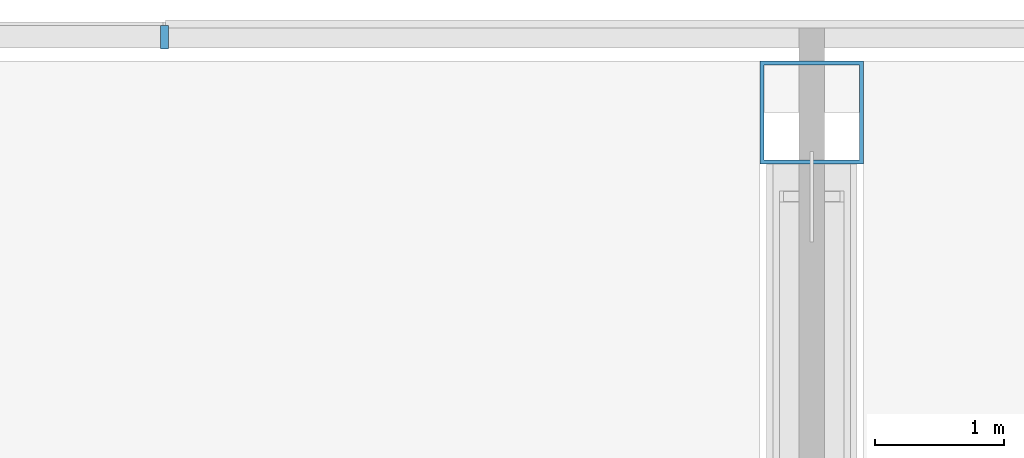
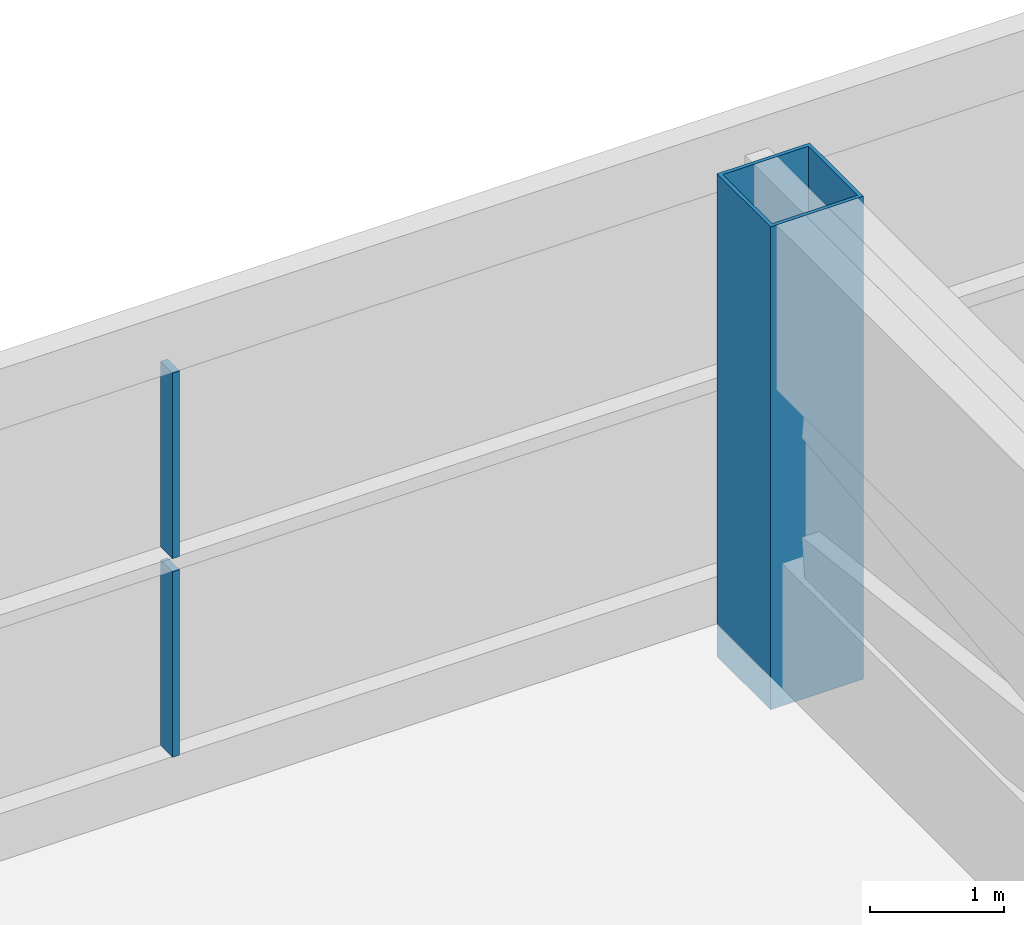
# One storey, part 12 of 31: 3 members, 1 element without a shape of its own.
"""IFC4 building model written with IfcOpenShell, lengths in metres."""

import ifcopenshell
import ifcopenshell.guid

model = None  # the IFC model being written
_history = None  # IfcOwnerHistory: only IFC2X3 demands one
_inside = {}  # id of a spatial element -> (the spatial element, [elements in it])
_under = {}  # id of a project, library or spatial element -> (it, [spatial elements below it])
_declared = {}  # id of a project -> (the project, [libraries it declares])
_typed = {}  # id of a type object -> (the type object, [elements of that type])
_made_of = {}  # id of a material, layer set ... -> (it, [elements and type objects made of it])


def new_model(schema):
    """Start an empty IFC model of exactly this schema.

    Asked for "IFC4X3", IfcOpenShell would pick the latest addendum, in which some entities
    have other attributes; the version numbers below select the first issue.
    IFC2X3 requires an IfcOwnerHistory on every rooted entity: one is made here for all.
    """
    global model, _history
    if schema == "IFC4X3":
        model = ifcopenshell.file(schema_version=(4, 3, 0, 0))
    else:
        model = ifcopenshell.file(schema=schema)
    _inside.clear()
    _under.clear()
    _declared.clear()
    _typed.clear()
    _made_of.clear()
    _history = None
    if model.schema == "IFC2X3":
        org = make("IfcOrganization", Name="unknown")
        user = make(
            "IfcPersonAndOrganization",
            ThePerson=make("IfcPerson", FamilyName="unknown"),
            TheOrganization=org,
        )
        app = make(
            "IfcApplication",
            ApplicationDeveloper=org,
            Version="unknown",
            ApplicationFullName="unknown",
            ApplicationIdentifier="unknown",
        )
        _history = make(
            "IfcOwnerHistory",
            OwningUser=user,
            OwningApplication=app,
            ChangeAction="ADDED",
            CreationDate=0,
        )
    return model


def make(cls, **values):
    """One entity of the class cls with the attributes given. An attribute that is None is left unset."""
    return model.create_entity(
        cls, **{name: value for name, value in values.items() if value is not None}
    )


def rooted(cls, **values):
    """An entity with a GlobalId (a new one), such as an element, a storey or a relation."""
    return make(cls, GlobalId=ifcopenshell.guid.new(), OwnerHistory=_history, **values)


def si_unit(unit_type, name, prefix=None):
    """IfcSIUnit, for example si_unit("LENGTHUNIT", "METRE", prefix="MILLI")."""
    return make("IfcSIUnit", UnitType=unit_type, Prefix=prefix, Name=name)


def assignment(units):
    """IfcUnitAssignment: the units of a project."""
    return None if units is None else make("IfcUnitAssignment", Units=units)


def point(xyz):
    """IfcCartesianPoint."""
    return None if xyz is None else make("IfcCartesianPoint", Coordinates=xyz)


def direction(xyz):
    """IfcDirection."""
    return None if xyz is None else make("IfcDirection", DirectionRatios=xyz)


def frame(location, z_axis=None, x_axis=None):
    """IfcAxis2Placement3D, a coordinate frame: its origin and axes. An axis left out is left unset."""
    return make(
        "IfcAxis2Placement3D",
        Location=point(location),
        Axis=direction(z_axis),
        RefDirection=direction(x_axis),
    )


def frame_2d(location, x_axis=None):
    """IfcAxis2Placement2D, a coordinate frame in the plane: its origin and x axis."""
    return make(
        "IfcAxis2Placement2D", Location=point(location), RefDirection=direction(x_axis)
    )


def origin():
    """The frame at (0, 0, 0) with its axes left unset."""
    return frame((0.0, 0.0, 0.0))


def origin_2d():
    """The frame at (0, 0) in the plane with its x axis left unset."""
    return frame_2d((0.0, 0.0))


def place(relative_to, where):
    """IfcLocalPlacement: puts the frame where relative to a parent placement (None: the world)."""
    return make(
        "IfcLocalPlacement", PlacementRelTo=relative_to, RelativePlacement=where
    )


def context(
    kind, dimensions, precision=None, world=None, true_north=None, identifier=None
):
    """IfcGeometricRepresentationContext, for example the 3D "Model" context."""
    return make(
        "IfcGeometricRepresentationContext",
        ContextIdentifier=identifier,
        ContextType=kind,
        CoordinateSpaceDimension=dimensions,
        Precision=precision,
        WorldCoordinateSystem=world,
        TrueNorth=true_north,
    )


def subcontext(parent, identifier, kind, view, scale=None):
    """IfcGeometricRepresentationSubContext, for example "Body" below "Model"."""
    return make(
        "IfcGeometricRepresentationSubContext",
        ContextIdentifier=identifier,
        ContextType=kind,
        ParentContext=parent,
        TargetScale=scale,
        TargetView=view,
    )


def project(units=None, contexts=None):
    """IfcProject with its units and contexts."""
    return rooted(
        "IfcProject",
        Name="project",
        RepresentationContexts=contexts,
        UnitsInContext=assignment(units),
    )


def spatial(cls, under=None, at=None, **own):
    """A site, building, storey or space (cls), placed at a placement, below another one or the project."""
    s = rooted(cls, ObjectPlacement=at, **own)
    if under is not None:
        _under.setdefault(under.id(), (under, []))[1].append(s)
    return s


def profile(cls, at=None, kind="AREA", **sizes):
    """A parametric profile (cls). Its sizes go by their IFC names, for example OverallWidth=200.0."""
    return make(cls, ProfileType=kind, Position=at, **sizes)


def rectangle(**sizes):
    """IfcRectangleProfileDef."""
    return profile("IfcRectangleProfileDef", **sizes)


def hollow_rectangle(**sizes):
    """IfcRectangleHollowProfileDef."""
    return profile("IfcRectangleHollowProfileDef", **sizes)


def extrude(swept, where, along, depth):
    """IfcExtrudedAreaSolid: the profile swept, set in the frame where, extruded along a direction by depth."""
    return make(
        "IfcExtrudedAreaSolid",
        SweptArea=swept,
        Position=where,
        ExtrudedDirection=direction(along),
        Depth=depth,
    )


def shape(context_of_items, identifier, shape_type, items):
    """IfcShapeRepresentation: the items that make up one representation, for example the "Body"."""
    return make(
        "IfcShapeRepresentation",
        ContextOfItems=context_of_items,
        RepresentationIdentifier=identifier,
        RepresentationType=shape_type,
        Items=items,
    )


def material(Name=None, Category=None):
    """IfcMaterial."""
    return make("IfcMaterial", Name=Name, Category=Category)


def layer(
    of_material, thickness, ventilated=None, Name=None, Category=None, Priority=None
):
    """IfcMaterialLayer: one layer of a wall or slab, of a material (None: an air gap)."""
    return make(
        "IfcMaterialLayer",
        Material=of_material,
        LayerThickness=thickness,
        IsVentilated=ventilated,
        Name=Name,
        Category=Category,
        Priority=Priority,
    )


def layer_set(layers, Name=None):
    """IfcMaterialLayerSet."""
    return make("IfcMaterialLayerSet", MaterialLayers=layers, LayerSetName=Name)


def material_profile(
    of_material, cross_section, Name=None, Category=None, Priority=None
):
    """IfcMaterialProfile: a cross section and its material."""
    return make(
        "IfcMaterialProfile",
        Name=Name,
        Material=of_material,
        Profile=cross_section,
        Priority=Priority,
        Category=Category,
    )


def profile_set(profiles, Name=None, composite=None):
    """IfcMaterialProfileSet."""
    return make(
        "IfcMaterialProfileSet",
        Name=Name,
        MaterialProfiles=profiles,
        CompositeProfile=composite,
    )


def made_of(thing, what):
    """Note that an element or type object is made of a material, layer set ...; save() writes the relation."""
    if what is not None:
        _made_of.setdefault(what.id(), (what, []))[1].append(thing)
    return thing


def type_object(cls, material=None, **own):
    """A type object (cls), such as IfcWallType, which elements share."""
    return made_of(rooted(cls, **own), material)


def element(
    cls,
    number,
    at=None,
    inside=None,
    cuts=None,
    type_object=None,
    material=None,
    context=None,
    identifier="Body",
    shape_type=None,
    held_by="IfcProductDefinitionShape",
    body=None,
    shapes=None,
    **own,
):
    """One element of the class cls, such as IfcWall. Its Tag is "e" and its number.

    at: its placement. inside: the storey or other place that contains it. cuts: it is an
    opening in that element (IfcRelVoidsElement). A single representation is given by context,
    identifier, shape_type and body (its items); several are given by shapes. held_by: the class
    of the entity that holds the representations. save() writes the other relations.
    """
    e = rooted(cls, Tag="e%d" % number, ObjectPlacement=at, **own)
    if body is not None:
        shapes = [shape(context, identifier, shape_type, body)]
    if shapes is not None:
        e.Representation = make(held_by, Representations=shapes)
    if inside is not None:
        _inside.setdefault(inside.id(), (inside, []))[1].append(e)
    if cuts is not None:
        rooted(
            "IfcRelVoidsElement", RelatingBuildingElement=cuts, RelatedOpeningElement=e
        )
    if type_object is not None:
        _typed.setdefault(type_object.id(), (type_object, []))[1].append(e)
    return made_of(e, material)


def aggregate(whole, parts):
    """IfcRelAggregates: a whole, such as a stair, and the parts it consists of."""
    return rooted("IfcRelAggregates", RelatingObject=whole, RelatedObjects=parts)


def save(model, path):
    """Write the relations noted so far, then the file.

    IfcRelAggregates (storeys below a building ...), IfcRelContainedInSpatialStructure (elements
    in a storey), IfcRelDefinesByType, IfcRelAssociatesMaterial and IfcRelDeclares: one each for
    every whole, place, type object, material and project.
    """
    for whole, parts in _under.values():
        aggregate(whole, parts)
    for where, things in _inside.values():
        rooted(
            "IfcRelContainedInSpatialStructure",
            RelatedElements=things,
            RelatingStructure=where,
        )
    for kind, things in _typed.values():
        rooted("IfcRelDefinesByType", RelatedObjects=things, RelatingType=kind)
    for what, things in _made_of.values():
        rooted("IfcRelAssociatesMaterial", RelatedObjects=things, RelatingMaterial=what)
    for by, libraries in _declared.values():
        rooted("IfcRelDeclares", RelatingContext=by, RelatedDefinitions=libraries)
    model.write(path)


model = new_model("IFC4")

# Units and contexts
model_context = context("Model", 3, precision=1e-05, world=origin(), true_north=direction((0.0, 1.0)))
body_context = subcontext(model_context, "Body", "Model", "MODEL_VIEW")
ifc_project = project(units=[si_unit("LENGTHUNIT", "METRE"), si_unit("AREAUNIT", "SQUARE_METRE"), si_unit("VOLUMEUNIT", "CUBIC_METRE"), si_unit("PLANEANGLEUNIT", "RADIAN"), si_unit("MASSUNIT", "GRAM", prefix="KILO")], contexts=[model_context])

# Site, building, storey
site_placement = place(None, origin())
site = spatial("IfcSite", under=ifc_project, at=site_placement, CompositionType="ELEMENT")
building_placement = place(site_placement, origin())
building = spatial("IfcBuilding", under=site, at=building_placement, Name="Hakoniwa Tower and Hamabe Station Hall", CompositionType="ELEMENT")
storey_placement = place(building_placement, frame((0.0, 0.0, 120.199951171875)))
storey = spatial("IfcBuildingStorey", under=building, at=storey_placement, Name="L34", CompositionType="ELEMENT", Elevation=120.199951171875)

# Curtain wall, members
ifc_material_1 = material(Name="Dark low-e laminated glass", Category="glass")
ifc_layer = layer(ifc_material_1, 0.199951171875)
ifc_layer_set = layer_set([ifc_layer], Name="CW-6 PLANT LOUVRE")
curtain_wall_type = type_object("IfcCurtainWallType", Name="CW-6 PLANT LOUVRE", PredefinedType="NOTDEFINED", material=ifc_layer_set)
curtain_wall_placement = place(storey_placement, origin())
curtain_wall = element("IfcCurtainWall", 1, at=curtain_wall_placement, inside=storey, type_object=curtain_wall_type, Name="CW-6 curtain wall", PredefinedType="NOTDEFINED")
ifc_material_2 = material(Name="Aluminium 6063-T5 black anodised", Category="aluminium")
ifc_material_profile_1 = material_profile(ifc_material_2, rectangle(XDim=0.06005859375, YDim=0.179931640625, at=origin_2d()), Name="CW-1 MULLION 60X180")
ifc_profile_set_1 = profile_set([ifc_material_profile_1], Name="Aluminium 6063-T5 black anodised")
member_type_1 = type_object("IfcMemberType", Name="CW-1 MULLION 60X180", PredefinedType="MULLION", material=ifc_profile_set_1)
member_1_placement = place(storey_placement, frame((11.79248046875, 23.431884765625, 0.35009765625), z_axis=(0.0, 0.0, 1.0), x_axis=(-1.0, 0.0, 0.0)))
member_1 = element("IfcMember", 2, at=member_1_placement, type_object=member_type_1, Name="CW-6 mullion", PredefinedType="MULLION", context=body_context, shape_type="SweptSolid", body=[
    extrude(rectangle(XDim=0.06005859375, YDim=0.179931640625, at=origin_2d()), origin(), (0.0, 0.0, 1.0), 1.68994140625),
])
member_2_placement = place(storey_placement, frame((11.79248046875, 23.431884765625, 2.16015625), z_axis=(0.0, 0.0, 1.0), x_axis=(-1.0, 0.0, 0.0)))
member_2 = element("IfcMember", 3, at=member_2_placement, type_object=member_type_1, Name="CW-6 mullion", PredefinedType="MULLION", context=body_context, shape_type="SweptSolid", body=[
    extrude(rectangle(XDim=0.06005859375, YDim=0.179931640625, at=origin_2d()), origin(), (0.0, 0.0, 1.0), 1.68994140625),
])
aggregate(curtain_wall, [member_1, member_2])

# Member
ifc_material_3 = material(Name="Steel SN490C", Category="steel")
ifc_material_profile_2 = material_profile(ifc_material_3, hollow_rectangle(XDim=0.800048828125, YDim=0.800048828125, WallThickness=0.031982421875, at=origin_2d()), Name="BX-800x800x32")
ifc_profile_set_2 = profile_set([ifc_material_profile_2], Name="Steel SN490C")
member_type_2 = type_object("IfcMemberType", Name="TRUSS POST BX-800x800x32", PredefinedType="POST", material=ifc_profile_set_2)
member_3_placement = place(storey_placement, frame((16.800048828125, 22.85009765625, -0.300048828125), z_axis=(0.0, 0.0, 1.0), x_axis=(1.0, 0.0, 0.0)))
element("IfcMember", 4, at=member_3_placement, inside=storey, type_object=member_type_2, Name="Truss T2-15-P03", PredefinedType="POST", context=body_context, shape_type="SweptSolid", body=[
    extrude(hollow_rectangle(XDim=0.800048828125, YDim=0.800048828125, WallThickness=0.031982421875, at=origin_2d()), origin(), (0.0, 0.0, 1.0), 4.400146484375),
])

save(model, "model.ifc")
